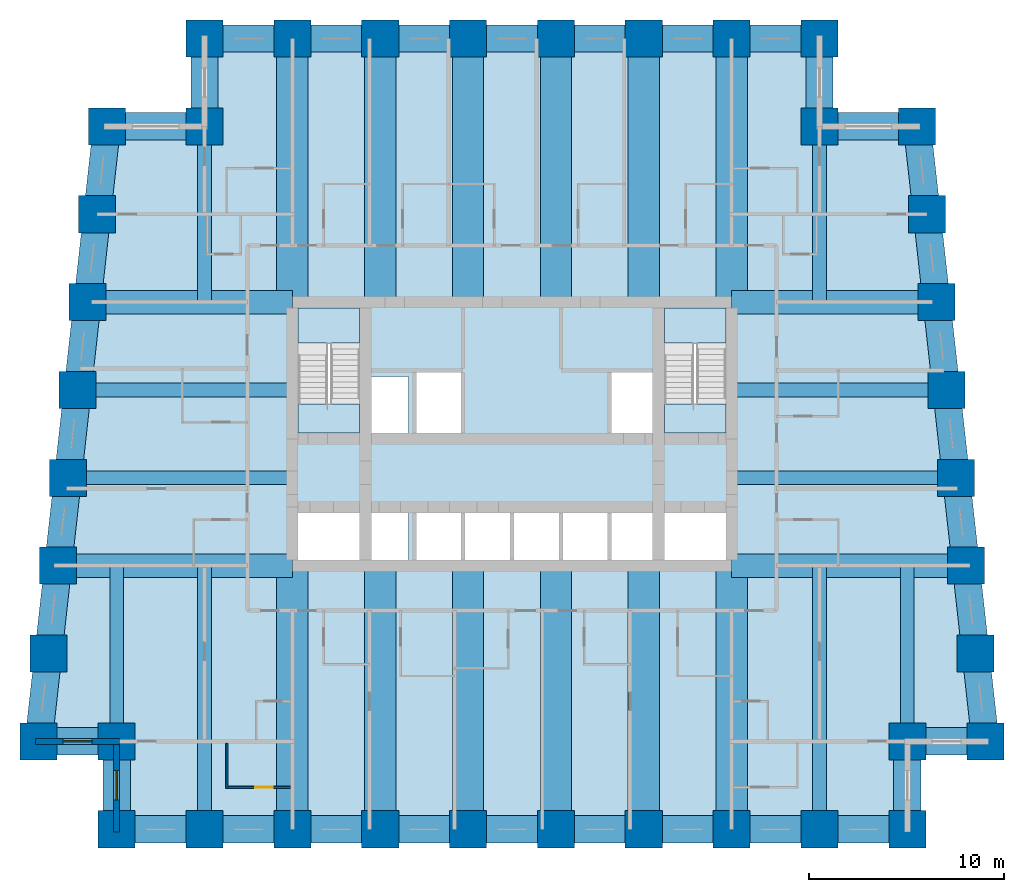
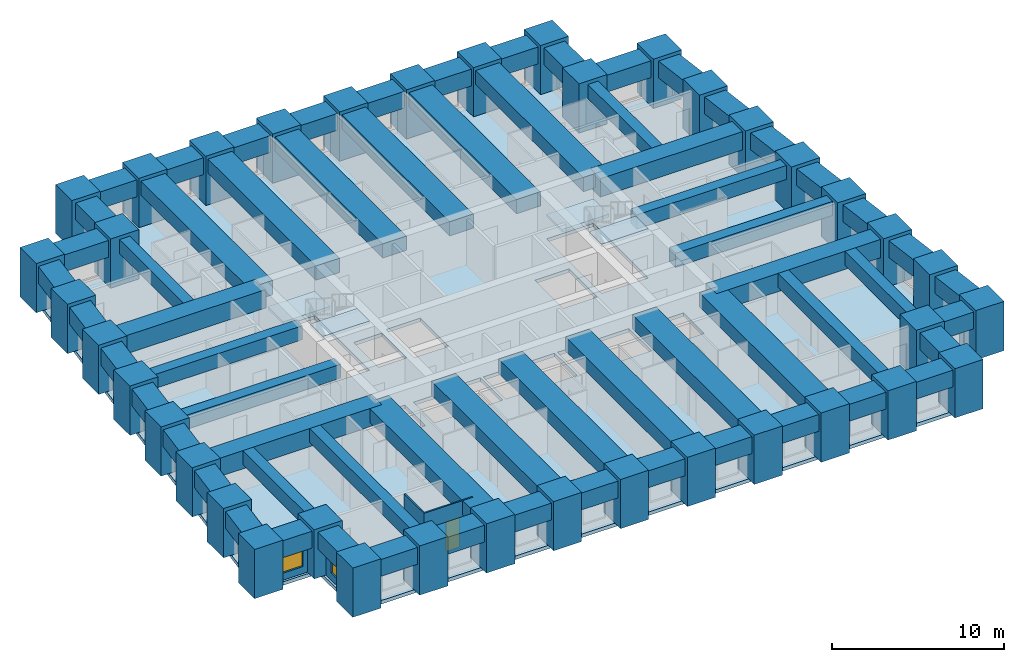
# One storey, part 1 of 8: 64 beams, 38 columns, 5 slabs, 4 walls, 2 windows, 1 door, 3 openings, 2 elements without a shape of their own.
"""IFC4 building model written with IfcOpenShell, lengths in metres."""

from ifc_helpers import new_model, si_unit, direction, frame, frame_2d, origin, origin_2d, place, context, subcontext, project, spatial, polyline, rectangle, outline, extrude, material, layer, layer_set, material_profile, profile_set, type_object, element, fill, aggregate, save


model = new_model("IFC4")

# Units and contexts
model_context = context("Model", 3, precision=1e-05, world=origin(), true_north=direction((0.0, 1.0)))
body_context = subcontext(model_context, "Body", "Model", "MODEL_VIEW")
ifc_project = project(units=[si_unit("LENGTHUNIT", "METRE"), si_unit("AREAUNIT", "SQUARE_METRE"), si_unit("VOLUMEUNIT", "CUBIC_METRE"), si_unit("PLANEANGLEUNIT", "RADIAN"), si_unit("MASSUNIT", "GRAM", prefix="KILO")], contexts=[model_context])

# Site, building, storey
site_placement = place(None, origin())
site = spatial("IfcSite", under=ifc_project, at=site_placement, CompositionType="ELEMENT")
building_placement = place(site_placement, origin())
building = spatial("IfcBuilding", under=site, at=building_placement, Name="Kilele Tower Hotel", CompositionType="ELEMENT")
storey_placement = place(building_placement, frame((0.0, 0.0, 50.699951171875)))
storey = spatial("IfcBuildingStorey", under=building, at=storey_placement, Name="L11", CompositionType="ELEMENT", Elevation=50.699951171875)

# Columns
ifc_material_1 = material(Name="Concrete C80/95", Category="concrete")
ifc_material_profile_1 = material_profile(ifc_material_1, rectangle(XDim=1.89990234375, YDim=1.89990234375, at=origin_2d()))
ifc_profile_set_1 = profile_set([ifc_material_profile_1], Name="Concrete C80/95")
column_type = type_object("IfcColumnType", Name="Tube column RC 1900x1900 C80/95", PredefinedType="COLUMN", material=ifc_profile_set_1)
for number, where, z_axis, x_axis, name in (
    (1, (0.5, 4.5, 0.0), (0.0, 0.0, 1.0), (1.0, 0.0, 0.0), "Column TC1 L11"),
    (2, (4.5, 4.5, 0.0), (0.0, 0.0, 1.0), (1.0, 0.0, 0.0), "Column TC1 L11"),
    (3, (4.5, 0.0, 0.0), (0.0, 0.0, 1.0), (1.0, 0.0, 0.0), "Column TC1 L11"),
    (4, (9.0, 0.0, 0.0), (0.0, 0.0, 1.0), (1.0, 0.0, 0.0), "Column TC1 L11"),
    (5, (13.5, 0.0, 0.0), (0.0, 0.0, 1.0), (1.0, 0.0, 0.0), "Column TC1 L11"),
    (6, (18.0, 0.0, 0.0), (0.0, 0.0, 1.0), (1.0, 0.0, 0.0), "Column TC1 L11"),
    (7, (22.5, 0.0, 0.0), (0.0, 0.0, 1.0), (1.0, 0.0, 0.0), "Column TC1 L11"),
    (8, (27.0, 0.0, 0.0), (0.0, 0.0, 1.0), (1.0, 0.0, 0.0), "Column TC1 L11"),
    (9, (31.5, 0.0, 0.0), (0.0, 0.0, 1.0), (1.0, 0.0, 0.0), "Column TC1 L11"),
    (10, (36.0, 0.0, 0.0), (0.0, 0.0, 1.0), (1.0, 0.0, 0.0), "Column TC1 L11"),
    (11, (40.5, 0.0, 0.0), (0.0, 0.0, 1.0), (1.0, 0.0, 0.0), "Column TC1 L11"),
    (12, (45.0, 0.0, 0.0), (0.0, 0.0, 1.0), (1.0, 0.0, 0.0), "Column TC1 L11"),
    (13, (45.0, 4.5, 0.0), (0.0, 0.0, 1.0), (1.0, 0.0, 0.0), "Column TC1 L11"),
    (14, (49.0, 4.5, 0.0), (0.0, 0.0, 1.0), (1.0, 0.0, 0.0), "Column TC1 L11"),
    (15, (48.5, 9.0, 0.0), (0.0, 0.0, 1.0), (1.0, 0.0, 0.0), "Column TC1 L11"),
    (16, (48.0, 13.5, 0.0), (0.0, 0.0, 1.0), (1.0, 0.0, 0.0), "Column TC1 L11"),
    (17, (47.5, 18.0, 0.0), (0.0, 0.0, 1.0), (1.0, 0.0, 0.0), "Column TC1 L11"),
    (18, (47.0, 22.5, 0.0), (0.0, 0.0, 1.0), (1.0, 0.0, 0.0), "Column TC1 L11"),
    (19, (46.5, 27.0, 0.0), (0.0, 0.0, 1.0), (1.0, 0.0, 0.0), "Column TC1 L11"),
    (20, (46.0, 31.5, 0.0), (0.0, 0.0, 1.0), (1.0, 0.0, 0.0), "Column TC1 L11"),
    (21, (45.5, 36.0, 0.0), (0.0, 0.0, 1.0), (1.0, 0.0, 0.0), "Column TC1 L11"),
    (22, (40.5, 36.0, 0.0), (0.0, 0.0, 1.0), (1.0, 0.0, 0.0), "Column TC1 L11"),
    (23, (40.5, 40.5, 0.0), (0.0, 0.0, 1.0), (1.0, 0.0, 0.0), "Column TC1 L11"),
    (24, (36.0, 40.5, 0.0), (0.0, 0.0, 1.0), (1.0, 0.0, 0.0), "Column TC1 L11"),
    (25, (31.5, 40.5, 0.0), (0.0, 0.0, 1.0), (1.0, 0.0, 0.0), "Column TC1 L11"),
    (26, (27.0, 40.5, 0.0), (0.0, 0.0, 1.0), (1.0, 0.0, 0.0), "Column TC1 L11"),
    (27, (22.5, 40.5, 0.0), (0.0, 0.0, 1.0), (1.0, 0.0, 0.0), "Column TC1 L11"),
    (28, (18.0, 40.5, 0.0), (0.0, 0.0, 1.0), (1.0, 0.0, 0.0), "Column TC1 L11"),
    (29, (13.5, 40.5, 0.0), (0.0, 0.0, 1.0), (1.0, 0.0, 0.0), "Column TC1 L11"),
    (30, (9.0, 40.5, 0.0), (0.0, 0.0, 1.0), (1.0, 0.0, 0.0), "Column TC1 L11"),
    (31, (9.0, 36.0, 0.0), (0.0, 0.0, 1.0), (1.0, 0.0, 0.0), "Column TC1 L11"),
    (32, (4.0, 36.0, 0.0), (0.0, 0.0, 1.0), (1.0, 0.0, 0.0), "Column TC1 L11"),
    (33, (3.5, 31.5, 0.0), (0.0, 0.0, 1.0), (1.0, 0.0, 0.0), "Column TC1 L11"),
    (34, (3.0, 27.0, 0.0), (0.0, 0.0, 1.0), (1.0, 0.0, 0.0), "Column TC1 L11"),
    (35, (2.5, 22.5, 0.0), (0.0, 0.0, 1.0), (1.0, 0.0, 0.0), "Column TC1 L11"),
    (36, (2.0, 18.0, 0.0), (0.0, 0.0, 1.0), (1.0, 0.0, 0.0), "Column TC1 L11"),
    (37, (1.5, 13.5, 0.0), (0.0, 0.0, 1.0), (1.0, 0.0, 0.0), "Column TC1 L11"),
    (38, (1.0, 9.0, 0.0), (0.0, 0.0, 1.0), (1.0, 0.0, 0.0), "Column TC1 L11"),
):
    element("IfcColumn", number, at=place(storey_placement, frame(where, z_axis=z_axis, x_axis=x_axis)), inside=storey, type_object=column_type, Name=name, PredefinedType="COLUMN", context=body_context, shape_type="SweptSolid", body=[
        extrude(rectangle(XDim=1.89990234375, YDim=1.89990234375, at=origin_2d()), origin(), (0.0, 0.0, 1.0), 3.5),
    ])

# Beams
ifc_material_2 = material(Name="Concrete C60/75", Category="concrete")
ifc_material_profile_2 = material_profile(ifc_material_2, rectangle(XDim=1.60009765625, YDim=1.0, at=origin_2d()))
ifc_profile_set_2 = profile_set([ifc_material_profile_2], Name="Concrete C60/75")
beam_type_1 = type_object("IfcBeamType", Name="Beam RC 1600x1000 C60/75", PredefinedType="BEAM", material=ifc_profile_set_2)
for number, where, z_axis, x_axis, name in (
    (39, (13.5, 0.0, 2.75), (0.0, 1.0, 0.0), (-1.0, 0.0, 0.0), "Beam BC1 level L12"),
    (40, (18.0, 0.0, 2.75), (0.0, 1.0, 0.0), (-1.0, 0.0, 0.0), "Beam BC1 level L12"),
    (41, (22.5, 0.0, 2.75), (0.0, 1.0, 0.0), (-1.0, 0.0, 0.0), "Beam BC1 level L12"),
    (42, (27.0, 0.0, 2.75), (0.0, 1.0, 0.0), (-1.0, 0.0, 0.0), "Beam BC1 level L12"),
    (43, (31.5, 0.0, 2.75), (0.0, 1.0, 0.0), (-1.0, 0.0, 0.0), "Beam BC1 level L12"),
    (44, (36.0, 0.0, 2.75), (0.0, 1.0, 0.0), (-1.0, 0.0, 0.0), "Beam BC1 level L12"),
    (45, (36.0, 40.5, 2.75), (0.0, -1.0, 0.0), (1.0, 0.0, 0.0), "Beam BC1 level L12"),
    (46, (31.5, 40.5, 2.75), (0.0, -1.0, 0.0), (1.0, 0.0, 0.0), "Beam BC1 level L12"),
    (47, (27.0, 40.5, 2.75), (0.0, -1.0, 0.0), (1.0, 0.0, 0.0), "Beam BC1 level L12"),
    (48, (22.5, 40.5, 2.75), (0.0, -1.0, 0.0), (1.0, 0.0, 0.0), "Beam BC1 level L12"),
    (49, (18.0, 40.5, 2.75), (0.0, -1.0, 0.0), (1.0, 0.0, 0.0), "Beam BC1 level L12"),
    (50, (13.5, 40.5, 2.75), (0.0, -1.0, 0.0), (1.0, 0.0, 0.0), "Beam BC1 level L12"),
):
    element("IfcBeam", number, at=place(storey_placement, frame(where, z_axis=z_axis, x_axis=x_axis)), inside=storey, type_object=beam_type_1, Name=name, PredefinedType="BEAM", context=body_context, shape_type="SweptSolid", body=[
        extrude(rectangle(XDim=1.60009765625, YDim=1.0, at=origin_2d()), origin(), (0.0, 0.0, 1.0), 13.5),
    ])
ifc_material_3 = material(Name="Concrete C60/75", Category="concrete")
ifc_material_profile_3 = material_profile(ifc_material_3, rectangle(XDim=0.699951171875, YDim=1.0, at=origin_2d()))
ifc_profile_set_3 = profile_set([ifc_material_profile_3], Name="Concrete C60/75")
beam_type_2 = type_object("IfcBeamType", Name="Beam RC 700x1000 C60/75", PredefinedType="BEAM", material=ifc_profile_set_3)
for number, where, z_axis, x_axis, name in (
    (51, (9.0, 0.0, 2.75), (0.0, 1.0, 0.0), (-1.0, 0.0, 0.0), "Beam B4 level L12"),
    (52, (40.5, 0.0, 2.75), (0.0, 1.0, 0.0), (-1.0, 0.0, 0.0), "Beam B4 level L12"),
):
    element("IfcBeam", number, at=place(storey_placement, frame(where, z_axis=z_axis, x_axis=x_axis)), inside=storey, type_object=beam_type_2, Name=name, PredefinedType="BEAM", context=body_context, shape_type="SweptSolid", body=[
        extrude(rectangle(XDim=0.699951171875, YDim=1.0, at=origin_2d()), origin(), (0.0, 0.0, 1.0), 13.5),
    ])
ifc_material_4 = material(Name="Concrete C60/75", Category="concrete")
ifc_material_profile_4 = material_profile(ifc_material_4, rectangle(XDim=0.699951171875, YDim=1.0, at=origin_2d()))
ifc_profile_set_4 = profile_set([ifc_material_profile_4], Name="Concrete C60/75")
beam_type_3 = type_object("IfcBeamType", Name="Beam RC 700x1000 C60/75 mid span", PredefinedType="BEAM", material=ifc_profile_set_4)
for number, where, z_axis, x_axis, name in (
    (53, (4.5, 4.5, 2.75), (0.0, 1.0, 0.0), (-1.0, 0.0, 0.0), "Beam B5 level L12"),
    (54, (45.0, 4.5, 2.75), (0.0, 1.0, 0.0), (-1.0, 0.0, 0.0), "Beam B5 level L12"),
):
    element("IfcBeam", number, at=place(storey_placement, frame(where, z_axis=z_axis, x_axis=x_axis)), inside=storey, type_object=beam_type_3, Name=name, PredefinedType="BEAM", context=body_context, shape_type="SweptSolid", body=[
        extrude(rectangle(XDim=0.699951171875, YDim=1.0, at=origin_2d()), origin(), (0.0, 0.0, 1.0), 9.0),
    ])
beam_1_placement = place(storey_placement, frame((47.5, 18.0, 2.75), z_axis=(-1.0, 0.0, 0.0), x_axis=(0.0, -1.0, 0.0)))
element("IfcBeam", 55, at=beam_1_placement, inside=storey, type_object=beam_type_3, Name="Beam B5 level L12", PredefinedType="BEAM", context=body_context, shape_type="SweptSolid", body=[
    extrude(rectangle(XDim=0.699951171875, YDim=1.0, at=origin_2d()), origin(), (0.0, 0.0, 1.0), 11.5),
])
beam_2_placement = place(storey_placement, frame((47.0, 22.5, 2.75), z_axis=(-1.0, 0.0, 0.0), x_axis=(0.0, -1.0, 0.0)))
element("IfcBeam", 56, at=beam_2_placement, inside=storey, type_object=beam_type_3, Name="Beam B5 level L12", PredefinedType="BEAM", context=body_context, shape_type="SweptSolid", body=[
    extrude(rectangle(XDim=0.699951171875, YDim=1.0, at=origin_2d()), origin(), (0.0, 0.0, 1.0), 11.0),
])
for number, where, z_axis, x_axis, name in (
    (57, (40.5, 36.0, 2.75), (0.0, -1.0, 0.0), (1.0, 0.0, 0.0), "Beam B5 level L12"),
    (58, (9.0, 36.0, 2.75), (0.0, -1.0, 0.0), (1.0, 0.0, 0.0), "Beam B5 level L12"),
):
    element("IfcBeam", number, at=place(storey_placement, frame(where, z_axis=z_axis, x_axis=x_axis)), inside=storey, type_object=beam_type_3, Name=name, PredefinedType="BEAM", context=body_context, shape_type="SweptSolid", body=[
        extrude(rectangle(XDim=0.699951171875, YDim=1.0, at=origin_2d()), origin(), (0.0, 0.0, 1.0), 9.0),
    ])
beam_3_placement = place(storey_placement, frame((2.5, 22.5, 2.75), z_axis=(1.0, 0.0, 0.0), x_axis=(0.0, 1.0, 0.0)))
element("IfcBeam", 59, at=beam_3_placement, inside=storey, type_object=beam_type_3, Name="Beam B5 level L12", PredefinedType="BEAM", context=body_context, shape_type="SweptSolid", body=[
    extrude(rectangle(XDim=0.699951171875, YDim=1.0, at=origin_2d()), origin(), (0.0, 0.0, 1.0), 11.0),
])
beam_4_placement = place(storey_placement, frame((2.0, 18.0, 2.75), z_axis=(1.0, 0.0, 0.0), x_axis=(0.0, 1.0, 0.0)))
element("IfcBeam", 60, at=beam_4_placement, inside=storey, type_object=beam_type_3, Name="Beam B5 level L12", PredefinedType="BEAM", context=body_context, shape_type="SweptSolid", body=[
    extrude(rectangle(XDim=0.699951171875, YDim=1.0, at=origin_2d()), origin(), (0.0, 0.0, 1.0), 11.5),
])
ifc_material_5 = material(Name="Concrete C60/75", Category="concrete")
ifc_material_profile_5 = material_profile(ifc_material_5, rectangle(XDim=1.199951171875, YDim=1.300048828125, at=origin_2d()))
ifc_profile_set_5 = profile_set([ifc_material_profile_5], Name="Concrete C60/75")
beam_type_4 = type_object("IfcBeamType", Name="Girder RC 1200x1300 C60/75", PredefinedType="BEAM", material=ifc_profile_set_5)
for number, where, z_axis, x_axis, name in (
    (61, (48.0, 13.5, 2.60009765625), (-1.0, 0.0, 0.0), (0.0, -1.0, 0.0), "Girder G1 level L12"),
    (62, (1.5, 13.5, 2.60009765625), (1.0, 0.0, 0.0), (0.0, 1.0, 0.0), "Girder G1 level L12"),
):
    element("IfcBeam", number, at=place(storey_placement, frame(where, z_axis=z_axis, x_axis=x_axis)), inside=storey, type_object=beam_type_4, Name=name, PredefinedType="BEAM", context=body_context, shape_type="SweptSolid", body=[
        extrude(rectangle(XDim=1.199951171875, YDim=1.300048828125, at=origin_2d()), origin(), (0.0, 0.0, 1.0), 12.0),
    ])
ifc_material_6 = material(Name="Concrete C60/75", Category="concrete")
ifc_material_profile_6 = material_profile(ifc_material_6, rectangle(XDim=1.199951171875, YDim=1.300048828125, at=origin_2d()))
ifc_profile_set_6 = profile_set([ifc_material_profile_6], Name="Concrete C60/75")
beam_type_5 = type_object("IfcBeamType", Name="Girder RC 1200x1300 C60/75 mid span", PredefinedType="BEAM", material=ifc_profile_set_6)
for number, where, z_axis, x_axis, name in (
    (63, (46.5, 27.0, 2.60009765625), (-1.0, 0.0, 0.0), (0.0, -1.0, 0.0), "Girder G3 level L12"),
    (64, (3.0, 27.0, 2.60009765625), (1.0, 0.0, 0.0), (0.0, 1.0, 0.0), "Girder G3 level L12"),
):
    element("IfcBeam", number, at=place(storey_placement, frame(where, z_axis=z_axis, x_axis=x_axis)), inside=storey, type_object=beam_type_5, Name=name, PredefinedType="BEAM", context=body_context, shape_type="SweptSolid", body=[
        extrude(rectangle(XDim=1.199951171875, YDim=1.300048828125, at=origin_2d()), origin(), (0.0, 0.0, 1.0), 10.5),
    ])
ifc_material_7 = material(Name="Concrete C60/75", Category="concrete")
ifc_material_profile_7 = material_profile(ifc_material_7, rectangle(XDim=1.39990234375, YDim=1.199951171875, at=origin_2d()))
ifc_profile_set_7 = profile_set([ifc_material_profile_7], Name="Concrete C60/75")
beam_type_6 = type_object("IfcBeamType", Name="Spandrel RC 1400x1200 C60/75", PredefinedType="SPANDREL", material=ifc_profile_set_7)
beam_5_placement = place(storey_placement, frame((0.5, 4.5, 2.650146484375), z_axis=(1.0, 0.0, 0.0), x_axis=(0.0, 1.0, 0.0)))
element("IfcBeam", 65, at=beam_5_placement, inside=storey, type_object=beam_type_6, Name="Spandrel SP10 level L12", PredefinedType="SPANDREL", context=body_context, shape_type="SweptSolid", body=[
    extrude(rectangle(XDim=1.39990234375, YDim=1.199951171875, at=origin_2d()), origin(), (0.0, 0.0, 1.0), 4.0),
])
for number, where, z_axis, x_axis, name in (
    (66, (4.5, 4.5, 2.650146484375), (0.0, -1.0, 0.0), (1.0, 0.0, 0.0), "Spandrel SP10 level L12"),
    (67, (4.5, 0.0, 2.650146484375), (1.0, 0.0, 0.0), (0.0, 1.0, 0.0), "Spandrel SP10 level L12"),
    (68, (9.0, 0.0, 2.650146484375), (1.0, 0.0, 0.0), (0.0, 1.0, 0.0), "Spandrel SP10 level L12"),
    (69, (13.5, 0.0, 2.650146484375), (1.0, 0.0, 0.0), (0.0, 1.0, 0.0), "Spandrel SP10 level L12"),
    (70, (18.0, 0.0, 2.650146484375), (1.0, 0.0, 0.0), (0.0, 1.0, 0.0), "Spandrel SP10 level L12"),
    (71, (22.5, 0.0, 2.650146484375), (1.0, 0.0, 0.0), (0.0, 1.0, 0.0), "Spandrel SP10 level L12"),
    (72, (27.0, 0.0, 2.650146484375), (1.0, 0.0, 0.0), (0.0, 1.0, 0.0), "Spandrel SP10 level L12"),
    (73, (31.5, 0.0, 2.650146484375), (1.0, 0.0, 0.0), (0.0, 1.0, 0.0), "Spandrel SP10 level L12"),
    (74, (36.0, 0.0, 2.650146484375), (1.0, 0.0, 0.0), (0.0, 1.0, 0.0), "Spandrel SP10 level L12"),
    (75, (40.5, 0.0, 2.650146484375), (1.0, 0.0, 0.0), (0.0, 1.0, 0.0), "Spandrel SP10 level L12"),
    (76, (45.0, 0.0, 2.650146484375), (0.0, 1.0, 0.0), (-1.0, 0.0, 0.0), "Spandrel SP10 level L12"),
):
    element("IfcBeam", number, at=place(storey_placement, frame(where, z_axis=z_axis, x_axis=x_axis)), inside=storey, type_object=beam_type_6, Name=name, PredefinedType="SPANDREL", context=body_context, shape_type="SweptSolid", body=[
        extrude(rectangle(XDim=1.39990234375, YDim=1.199951171875, at=origin_2d()), origin(), (0.0, 0.0, 1.0), 4.5),
    ])
beam_6_placement = place(storey_placement, frame((45.0, 4.5, 2.650146484375), z_axis=(1.0, 0.0, 0.0), x_axis=(0.0, 1.0, 0.0)))
element("IfcBeam", 77, at=beam_6_placement, inside=storey, type_object=beam_type_6, Name="Spandrel SP10 level L12", PredefinedType="SPANDREL", context=body_context, shape_type="SweptSolid", body=[
    extrude(rectangle(XDim=1.39990234375, YDim=1.199951171875, at=origin_2d()), origin(), (0.0, 0.0, 1.0), 4.0),
])
for number, where, z_axis, x_axis, name in (
    (78, (49.0, 4.5, 2.650146484375), (-0.110431526075, 0.993883734674, 0.0), (-0.993883734674, -0.110431526075, 0.0), "Spandrel SP10 level L12"),
    (79, (48.5, 9.0, 2.650146484375), (-0.110431526075, 0.993883734674, 0.0), (-0.993883734674, -0.110431526075, 0.0), "Spandrel SP10 level L12"),
    (80, (48.0, 13.5, 2.650146484375), (-0.110431526075, 0.993883734674, 0.0), (-0.993883734674, -0.110431526075, 0.0), "Spandrel SP10 level L12"),
    (81, (47.5, 18.0, 2.650146484375), (-0.110431526075, 0.993883734674, 0.0), (-0.993883734674, -0.110431526075, 0.0), "Spandrel SP10 level L12"),
    (82, (47.0, 22.5, 2.650146484375), (-0.110431526075, 0.993883734674, 0.0), (-0.993883734674, -0.110431526075, 0.0), "Spandrel SP10 level L12"),
    (83, (46.5, 27.0, 2.650146484375), (-0.110431526075, 0.993883734674, 0.0), (-0.993883734674, -0.110431526075, 0.0), "Spandrel SP10 level L12"),
    (84, (46.0, 31.5, 2.650146484375), (-0.110431526075, 0.993883734674, 0.0), (-0.993883734674, -0.110431526075, 0.0), "Spandrel SP10 level L12"),
):
    element("IfcBeam", number, at=place(storey_placement, frame(where, z_axis=z_axis, x_axis=x_axis)), inside=storey, type_object=beam_type_6, Name=name, PredefinedType="SPANDREL", context=body_context, shape_type="SweptSolid", body=[
        extrude(rectangle(XDim=1.39990234375, YDim=1.199951171875, at=origin_2d()), origin(), (0.0, 0.0, 1.0), 4.527587890625),
    ])
beam_7_placement = place(storey_placement, frame((45.5, 36.0, 2.650146484375), z_axis=(-1.0, 0.0, 0.0), x_axis=(0.0, -1.0, 0.0)))
element("IfcBeam", 85, at=beam_7_placement, inside=storey, type_object=beam_type_6, Name="Spandrel SP10 level L12", PredefinedType="SPANDREL", context=body_context, shape_type="SweptSolid", body=[
    extrude(rectangle(XDim=1.39990234375, YDim=1.199951171875, at=origin_2d()), origin(), (0.0, 0.0, 1.0), 5.0),
])
for number, where, z_axis, x_axis, name in (
    (86, (40.5, 36.0, 2.650146484375), (0.0, 1.0, 0.0), (-1.0, 0.0, 0.0), "Spandrel SP10 level L12"),
    (87, (40.5, 40.5, 2.650146484375), (-1.0, 0.0, 0.0), (0.0, -1.0, 0.0), "Spandrel SP10 level L12"),
    (88, (36.0, 40.5, 2.650146484375), (-1.0, 0.0, 0.0), (0.0, -1.0, 0.0), "Spandrel SP10 level L12"),
    (89, (31.5, 40.5, 2.650146484375), (-1.0, 0.0, 0.0), (0.0, -1.0, 0.0), "Spandrel SP10 level L12"),
    (90, (27.0, 40.5, 2.650146484375), (-1.0, 0.0, 0.0), (0.0, -1.0, 0.0), "Spandrel SP10 level L12"),
    (91, (22.5, 40.5, 2.650146484375), (-1.0, 0.0, 0.0), (0.0, -1.0, 0.0), "Spandrel SP10 level L12"),
    (92, (18.0, 40.5, 2.650146484375), (-1.0, 0.0, 0.0), (0.0, -1.0, 0.0), "Spandrel SP10 level L12"),
    (93, (13.5, 40.5, 2.650146484375), (-1.0, 0.0, 0.0), (0.0, -1.0, 0.0), "Spandrel SP10 level L12"),
    (94, (9.0, 40.5, 2.650146484375), (0.0, -1.0, 0.0), (1.0, 0.0, 0.0), "Spandrel SP10 level L12"),
):
    element("IfcBeam", number, at=place(storey_placement, frame(where, z_axis=z_axis, x_axis=x_axis)), inside=storey, type_object=beam_type_6, Name=name, PredefinedType="SPANDREL", context=body_context, shape_type="SweptSolid", body=[
        extrude(rectangle(XDim=1.39990234375, YDim=1.199951171875, at=origin_2d()), origin(), (0.0, 0.0, 1.0), 4.5),
    ])
beam_8_placement = place(storey_placement, frame((9.0, 36.0, 2.650146484375), z_axis=(-1.0, 0.0, 0.0), x_axis=(0.0, -1.0, 0.0)))
element("IfcBeam", 95, at=beam_8_placement, inside=storey, type_object=beam_type_6, Name="Spandrel SP10 level L12", PredefinedType="SPANDREL", context=body_context, shape_type="SweptSolid", body=[
    extrude(rectangle(XDim=1.39990234375, YDim=1.199951171875, at=origin_2d()), origin(), (0.0, 0.0, 1.0), 5.0),
])
for number, where, z_axis, x_axis, name in (
    (96, (4.0, 36.0, 2.650146484375), (-0.110431526075, -0.993883734674, 0.0), (0.993883734674, -0.110431526075, 0.0), "Spandrel SP10 level L12"),
    (97, (3.5, 31.5, 2.650146484375), (-0.110431526075, -0.993883734674, 0.0), (0.993883734674, -0.110431526075, 0.0), "Spandrel SP10 level L12"),
    (98, (3.0, 27.0, 2.650146484375), (-0.110431526075, -0.993883734674, 0.0), (0.993883734674, -0.110431526075, 0.0), "Spandrel SP10 level L12"),
    (99, (2.5, 22.5, 2.650146484375), (-0.110431526075, -0.993883734674, 0.0), (0.993883734674, -0.110431526075, 0.0), "Spandrel SP10 level L12"),
    (100, (2.0, 18.0, 2.650146484375), (-0.110431526075, -0.993883734674, 0.0), (0.993883734674, -0.110431526075, 0.0), "Spandrel SP10 level L12"),
    (101, (1.5, 13.5, 2.650146484375), (-0.110431526075, -0.993883734674, 0.0), (0.993883734674, -0.110431526075, 0.0), "Spandrel SP10 level L12"),
    (102, (1.0, 9.0, 2.650146484375), (-0.110431526075, -0.993883734674, 0.0), (0.993883734674, -0.110431526075, 0.0), "Spandrel SP10 level L12"),
):
    element("IfcBeam", number, at=place(storey_placement, frame(where, z_axis=z_axis, x_axis=x_axis)), inside=storey, type_object=beam_type_6, Name=name, PredefinedType="SPANDREL", context=body_context, shape_type="SweptSolid", body=[
        extrude(rectangle(XDim=1.39990234375, YDim=1.199951171875, at=origin_2d()), origin(), (0.0, 0.0, 1.0), 4.527587890625),
    ])

# Slab
ifc_material_8 = material(Name="Concrete C60/75", Category="concrete")
ifc_layer_1 = layer(ifc_material_8, 0.25)
ifc_layer_set_1 = layer_set([ifc_layer_1], Name="Concrete C60/75")
slab_type_1 = type_object("IfcSlabType", Name="Floor slab 250", PredefinedType="FLOOR", material=ifc_layer_set_1)
slab_1_placement = place(storey_placement, frame((0.0, 0.0, -0.25)))
element("IfcSlab", 103, at=slab_1_placement, inside=storey, type_object=slab_type_1, Name="Floor slab L11", PredefinedType="FLOOR", context=body_context, shape_type="SweptSolid", body=[
    extrude(outline(polyline([(8.699951171875, 36.300048828125), (8.699951171875, 40.800048828125), (40.800048828125, 40.800048828125), (40.800048828125, 36.300048828125), (45.7685546875, 36.300048828125), (49.335205078125, 4.199951171875), (45.300048828125, 4.199951171875), (45.300048828125, -0.300048828125), (4.199951171875, -0.300048828125), (4.199951171875, 4.199951171875), (0.164794921875, 4.199951171875), (3.7314453125, 36.300048828125), (8.699951171875, 36.300048828125)]), holes=[polyline([(16.949951171875, 16.199951171875), (13.800048828125, 16.199951171875), (13.800048828125, 13.800048828125), (16.949951171875, 13.800048828125), (16.949951171875, 16.199951171875)]), polyline([(19.449951171875, 13.800048828125), (19.449951171875, 16.199951171875), (17.550048828125, 16.199951171875), (17.550048828125, 13.800048828125), (19.449951171875, 13.800048828125)]), polyline([(22.14990234375, 13.800048828125), (22.14990234375, 16.39990234375), (19.85009765625, 16.39990234375), (19.85009765625, 13.800048828125), (22.14990234375, 13.800048828125)]), polyline([(24.64990234375, 16.39990234375), (22.35009765625, 16.39990234375), (22.35009765625, 13.800048828125), (24.64990234375, 13.800048828125), (24.64990234375, 16.39990234375)]), polyline([(19.449951171875, 20.300048828125), (19.449951171875, 23.199951171875), (17.550048828125, 23.199951171875), (17.550048828125, 20.300048828125), (19.449951171875, 20.300048828125)]), polyline([(22.14990234375, 20.10009765625), (22.14990234375, 23.39990234375), (19.85009765625, 23.39990234375), (19.85009765625, 20.10009765625), (22.14990234375, 20.10009765625)]), polyline([(16.949951171875, 26.699951171875), (13.800048828125, 26.699951171875), (13.800048828125, 20.300048828125), (16.949951171875, 20.300048828125), (16.949951171875, 26.699951171875)]), polyline([(35.699951171875, 13.800048828125), (35.699951171875, 16.199951171875), (32.550048828125, 16.199951171875), (32.550048828125, 13.800048828125), (35.699951171875, 13.800048828125)]), polyline([(27.14990234375, 13.800048828125), (27.14990234375, 16.39990234375), (24.85009765625, 16.39990234375), (24.85009765625, 13.800048828125), (27.14990234375, 13.800048828125)]), polyline([(29.64990234375, 13.800048828125), (29.64990234375, 16.39990234375), (27.35009765625, 16.39990234375), (27.35009765625, 13.800048828125), (29.64990234375, 13.800048828125)]), polyline([(32.14990234375, 13.800048828125), (32.14990234375, 16.39990234375), (29.85009765625, 16.39990234375), (29.85009765625, 13.800048828125), (32.14990234375, 13.800048828125)]), polyline([(32.14990234375, 20.10009765625), (32.14990234375, 23.39990234375), (29.85009765625, 23.39990234375), (29.85009765625, 20.10009765625), (32.14990234375, 20.10009765625)]), polyline([(35.699951171875, 20.300048828125), (35.699951171875, 26.699951171875), (32.550048828125, 26.699951171875), (32.550048828125, 20.300048828125), (35.699951171875, 20.300048828125)])]), origin(), (0.0, 0.0, 1.0), 0.25),
])

# Stair, slabs
ifc_material_9 = material(Name="Precast concrete C40/50", Category="concrete")
stair_type = type_object("IfcStairType", Name="Stair 1475 x 3500", PredefinedType="HALF_TURN_STAIR", material=ifc_material_9)
stair_1_placement = place(storey_placement, origin())
stair_1 = element("IfcStair", 104, at=stair_1_placement, inside=storey, type_object=stair_type, Name="Stair 1 L11", PredefinedType="HALF_TURN_STAIR")
ifc_material_10 = material(Name="Precast concrete C40/50", Category="concrete")
ifc_layer_2 = layer(ifc_material_10, 0.199951171875)
ifc_layer_set_2 = layer_set([ifc_layer_2], Name="Precast concrete C40/50")
slab_type_2 = type_object("IfcSlabType", Name="Stair landing 200", PredefinedType="LANDING", material=ifc_layer_set_2)
slab_2_placement = place(storey_placement, frame((0.0, 0.0, 1.550048828125)))
slab_2 = element("IfcSlab", 105, at=slab_2_placement, type_object=slab_type_2, Name="ST1 landing 1", PredefinedType="LANDING", context=body_context, shape_type="SweptSolid", body=[
    extrude(outline(polyline([(13.800048828125, 24.89501953125), (16.949951171875, 24.89501953125), (16.949951171875, 26.699951171875), (13.800048828125, 26.699951171875), (13.800048828125, 24.89501953125)])), origin(), (0.0, 0.0, 1.0), 0.199951171875),
])
slab_3_placement = place(storey_placement, frame((0.0, 0.0, 3.300048828125)))
slab_3 = element("IfcSlab", 106, at=slab_3_placement, type_object=slab_type_2, Name="ST1 landing 2", PredefinedType="LANDING", context=body_context, shape_type="SweptSolid", body=[
    extrude(outline(polyline([(13.800048828125, 20.300048828125), (16.949951171875, 20.300048828125), (16.949951171875, 21.77490234375), (13.800048828125, 21.77490234375), (13.800048828125, 20.300048828125)])), origin(), (0.0, 0.0, 1.0), 0.199951171875),
])
aggregate(stair_1, [slab_2, slab_3])

stair_2_placement = place(storey_placement, origin())
stair_2 = element("IfcStair", 107, at=stair_2_placement, inside=storey, type_object=stair_type, Name="Stair 2 L11", PredefinedType="HALF_TURN_STAIR")
slab_4_placement = place(storey_placement, frame((0.0, 0.0, 1.550048828125)))
slab_4 = element("IfcSlab", 108, at=slab_4_placement, type_object=slab_type_2, Name="ST2 landing 1", PredefinedType="LANDING", context=body_context, shape_type="SweptSolid", body=[
    extrude(outline(polyline([(32.550048828125, 24.89501953125), (35.699951171875, 24.89501953125), (35.699951171875, 26.699951171875), (32.550048828125, 26.699951171875), (32.550048828125, 24.89501953125)])), origin(), (0.0, 0.0, 1.0), 0.199951171875),
])
slab_5_placement = place(storey_placement, frame((0.0, 0.0, 3.300048828125)))
slab_5 = element("IfcSlab", 109, at=slab_5_placement, type_object=slab_type_2, Name="ST2 landing 2", PredefinedType="LANDING", context=body_context, shape_type="SweptSolid", body=[
    extrude(outline(polyline([(32.550048828125, 20.300048828125), (35.699951171875, 20.300048828125), (35.699951171875, 21.77490234375), (32.550048828125, 21.77490234375), (32.550048828125, 20.300048828125)])), origin(), (0.0, 0.0, 1.0), 0.199951171875),
])
aggregate(stair_2, [slab_4, slab_5])

# Wall
ifc_material_11 = material(Name="Moisture-resistant board")
ifc_layer_3 = layer(ifc_material_11, 0.10009765625)
ifc_layer_set_3 = layer_set([ifc_layer_3], Name="Moisture-resistant board")
wall_type_1 = type_object("IfcWallType", Name="Bathroom partition 100", PredefinedType="PLUMBINGWALL", material=ifc_layer_set_3)
wall_1_placement = place(storey_placement, frame((10.14990234375, 4.39990234375, 0.0), z_axis=(0.0, 0.0, 1.0), x_axis=(0.0, -1.0, 0.0)))
element("IfcWall", 110, at=wall_1_placement, inside=storey, type_object=wall_type_1, Name="Bathroom partition 100 L11", PredefinedType="PLUMBINGWALL", context=body_context, shape_type="SweptSolid", body=[
    extrude(rectangle(XDim=2.2998046875, YDim=0.10009765625, at=frame_2d((1.14990234375, 0.0))), origin(), (0.0, 0.0, 1.0), 3.25),
])

# Wall, opening, door
wall_2_placement = place(storey_placement, frame((13.39990234375, 2.14990234375, 0.0), z_axis=(0.0, 0.0, 1.0), x_axis=(-1.0, 0.0, 0.0)))
wall_2 = element("IfcWall", 111, at=wall_2_placement, inside=storey, type_object=wall_type_1, Name="Bathroom partition 100 L11", PredefinedType="PLUMBINGWALL", context=body_context, shape_type="SweptSolid", body=[
    extrude(rectangle(XDim=3.2998046875, YDim=0.10009765625, at=frame_2d((1.64990234375, 0.0))), origin(), (0.0, 0.0, 1.0), 3.25),
])
opening_1_placement = place(wall_2_placement, frame((0.89990234375, 0.0, 0.0)))
opening_1 = element("IfcOpeningElement", 112, at=opening_1_placement, cuts=wall_2, Name="Opening D2A", PredefinedType="OPENING", context=body_context, shape_type="SweptSolid", body=[
    extrude(rectangle(XDim=0.89990234375, YDim=2.10009765625, at=frame_2d((0.449951171875, 1.050048828125))), frame((0.0, 0.06005859375, 0.0), z_axis=(0.0, -1.0, 0.0), x_axis=(1.0, 0.0, 0.0)), (0.0, 0.0, 1.0), 0.1201171875),
])
ifc_material_12 = material(Name="Timber door leaf in hardwood frame", Category="wood")
door_type = type_object("IfcDoorType", Name="Bathroom door 900", OperationType="SINGLE_SWING_LEFT", PredefinedType="DOOR", material=ifc_material_12)
door_placement = place(opening_1_placement, origin())
door = element("IfcDoor", 113, at=door_placement, inside=storey, type_object=door_type, Name="Bathroom door 1119B", OperationType="SINGLE_SWING_LEFT", OverallHeight=2.10009765625, OverallWidth=0.89990234375, PredefinedType="DOOR", context=body_context, shape_type="SweptSolid", body=[
    extrude(rectangle(XDim=0.89990234375, YDim=2.10009765625, at=frame_2d((0.449951171875, 1.050048828125))), frame((0.0, 0.02490234375, 0.0), z_axis=(0.0, -1.0, 0.0), x_axis=(1.0, 0.0, 0.0)), (0.0, 0.0, 1.0), 0.050048828125),
])
fill(opening_1, door)

# Wall, opening, window
ifc_material_13 = material(Name="Concrete C40/50 precast", Category="concrete")
ifc_layer_4 = layer(ifc_material_13, 0.260009765625, Name="Precast backing", Category="LoadBearing")
ifc_material_14 = material(Name="Reconstituted stone finish", Category="masonry")
ifc_layer_5 = layer(ifc_material_14, 0.0400390625, Name="Face mix", Category="Finish")
ifc_layer_set_4 = layer_set([ifc_layer_4, ifc_layer_5], Name="Precast concrete C40/50, reconstituted stone finish")
wall_type_2 = type_object("IfcWallType", Name="Precast stone facade wall 300", PredefinedType="STANDARD", material=ifc_layer_set_4)
wall_3_placement = place(storey_placement, frame((0.35009765625, 4.5, 0.0), z_axis=(0.0, 0.0, 1.0), x_axis=(1.0, 0.0, 0.0)))
wall_3 = element("IfcWall", 114, at=wall_3_placement, inside=storey, type_object=wall_type_2, Name="Facade wall L11 edge 1", PredefinedType="STANDARD", context=body_context, shape_type="SweptSolid", body=[
    extrude(rectangle(XDim=4.2998046875, YDim=0.300048828125, at=frame_2d((2.14990234375, 0.0))), origin(), (0.0, 0.0, 1.0), 2.050048828125),
])
opening_2_placement = place(wall_3_placement, frame((1.39990234375, 0.0, 0.5)))
opening_2 = element("IfcOpeningElement", 115, at=opening_2_placement, cuts=wall_3, Name="Opening W1", PredefinedType="OPENING", context=body_context, shape_type="SweptSolid", body=[
    extrude(rectangle(XDim=1.5, YDim=1.39990234375, at=frame_2d((0.75, 0.699951171875))), frame((0.0, 0.159912109375, 0.0), z_axis=(0.0, -1.0, 0.0), x_axis=(1.0, 0.0, 0.0)), (0.0, 0.0, 1.0), 0.320068359375),
])
ifc_material_15 = material(Name="Aluminium frame, clear double glazing", Category="aluminium")
window_type = type_object("IfcWindowType", Name="Window W1 1500 x 1400", PartitioningType="SINGLE_PANEL", PredefinedType="WINDOW", material=ifc_material_15)
window_1_placement = place(opening_2_placement, origin())
window_1 = element("IfcWindow", 116, at=window_1_placement, inside=storey, type_object=window_type, Name="Window L11", OverallHeight=1.39990234375, OverallWidth=1.5, PartitioningType="SINGLE_PANEL", PredefinedType="WINDOW", context=body_context, shape_type="SweptSolid", body=[
    extrude(rectangle(XDim=1.5, YDim=1.39990234375, at=frame_2d((0.75, 0.699951171875))), frame((0.0, 0.030029296875, 0.0), z_axis=(0.0, -1.0, 0.0), x_axis=(1.0, 0.0, 0.0)), (0.0, 0.0, 1.0), 0.06005859375),
])
fill(opening_2, window_1)

wall_4_placement = place(storey_placement, frame((4.5, 4.64990234375, 0.0), z_axis=(0.0, 0.0, 1.0), x_axis=(0.0, -1.0, 0.0)))
wall_4 = element("IfcWall", 117, at=wall_4_placement, inside=storey, type_object=wall_type_2, Name="Facade wall L11 edge 2", PredefinedType="STANDARD", context=body_context, shape_type="SweptSolid", body=[
    extrude(rectangle(XDim=4.7998046875, YDim=0.300048828125, at=frame_2d((2.39990234375, 0.0))), origin(), (0.0, 0.0, 1.0), 2.050048828125),
])
opening_3_placement = place(wall_4_placement, frame((1.64990234375, 0.0, 0.5)))
opening_3 = element("IfcOpeningElement", 118, at=opening_3_placement, cuts=wall_4, Name="Opening W1", PredefinedType="OPENING", context=body_context, shape_type="SweptSolid", body=[
    extrude(rectangle(XDim=1.5, YDim=1.39990234375, at=frame_2d((0.75, 0.699951171875))), frame((0.0, 0.159912109375, 0.0), z_axis=(0.0, -1.0, 0.0), x_axis=(1.0, 0.0, 0.0)), (0.0, 0.0, 1.0), 0.320068359375),
])
window_2_placement = place(opening_3_placement, origin())
window_2 = element("IfcWindow", 119, at=window_2_placement, inside=storey, type_object=window_type, Name="Window L11", OverallHeight=1.39990234375, OverallWidth=1.5, PartitioningType="SINGLE_PANEL", PredefinedType="WINDOW", context=body_context, shape_type="SweptSolid", body=[
    extrude(rectangle(XDim=1.5, YDim=1.39990234375, at=frame_2d((0.75, 0.699951171875))), frame((0.0, 0.030029296875, 0.0), z_axis=(0.0, -1.0, 0.0), x_axis=(1.0, 0.0, 0.0)), (0.0, 0.0, 1.0), 0.06005859375),
])
fill(opening_3, window_2)

save(model, "model.ifc")
